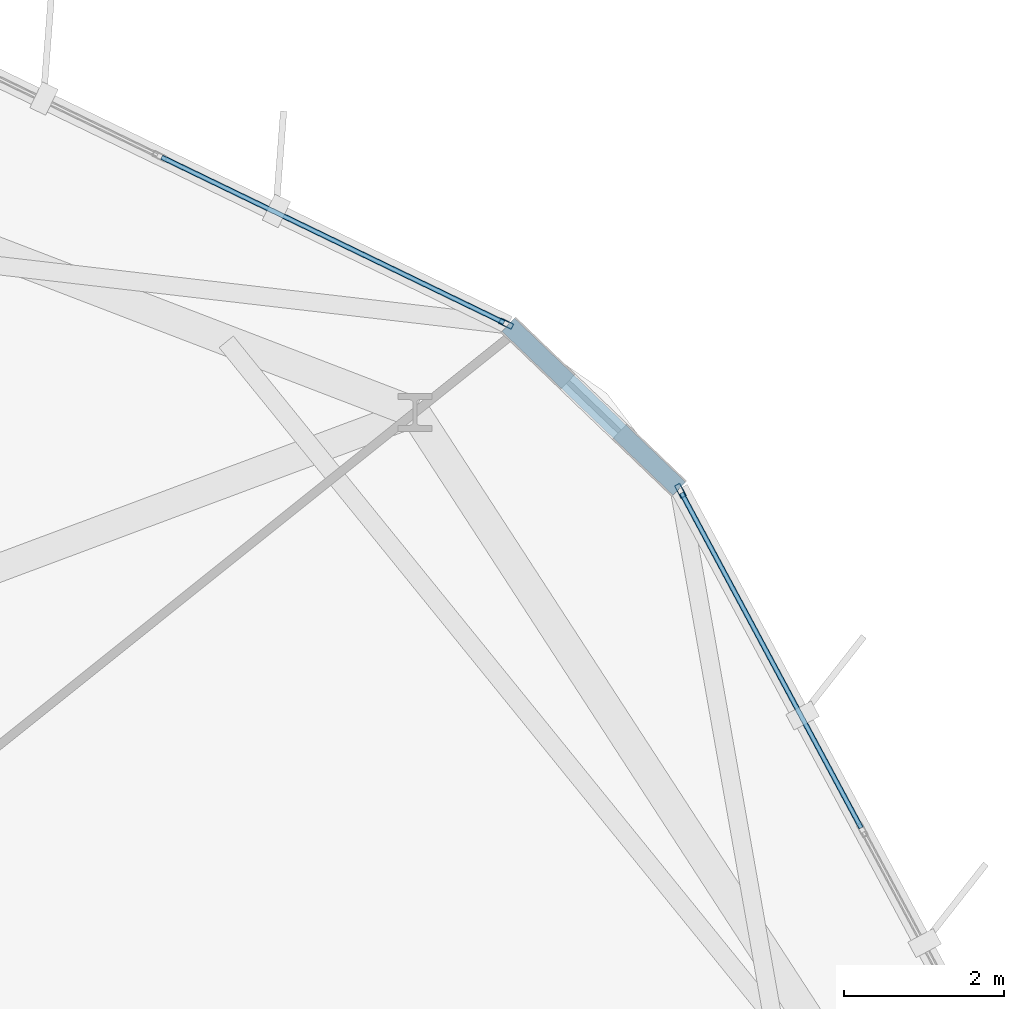
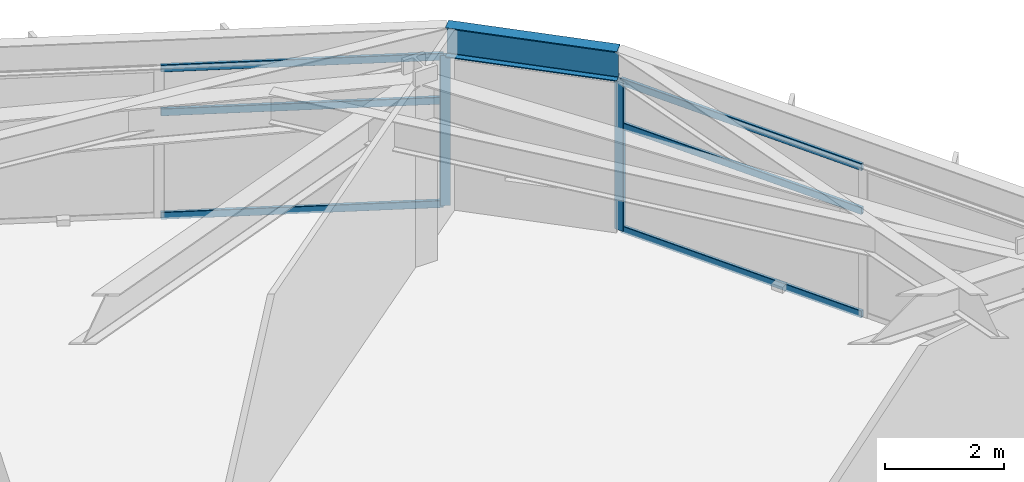
# One storey, part 15 of 22: 8 members, 1 beam, 2 elements without a shape of their own.
"""IFC4 building model written with IfcOpenShell, lengths in metres."""

from ifc_helpers import new_model, si_unit, direction, frame, origin, origin_2d, place, context, subcontext, project, spatial, hollow_rectangle, i_section, extrude, material, layer, layer_set, material_profile, profile_set, type_object, element, aggregate, save


model = new_model("IFC4")

# Units and contexts
model_context = context("Model", 3, precision=1e-05, world=origin(), true_north=direction((0.0, 1.0)))
body_context = subcontext(model_context, "Body", "Model", "MODEL_VIEW")
ifc_project = project(units=[si_unit("LENGTHUNIT", "METRE"), si_unit("AREAUNIT", "SQUARE_METRE"), si_unit("VOLUMEUNIT", "CUBIC_METRE"), si_unit("PLANEANGLEUNIT", "RADIAN"), si_unit("MASSUNIT", "GRAM", prefix="KILO")], contexts=[model_context])

# Site, building, storey
site_placement = place(None, origin())
site = spatial("IfcSite", under=ifc_project, at=site_placement, CompositionType="ELEMENT")
building_placement = place(site_placement, origin())
building = spatial("IfcBuilding", under=site, at=building_placement, Name="Soratama Intermodal Tower", CompositionType="ELEMENT")
storey_placement = place(building_placement, frame((0.0, 0.0, 66.60009765625)))
storey = spatial("IfcBuildingStorey", under=building, at=storey_placement, Name="L15", CompositionType="ELEMENT", Elevation=66.60009765625)

# Beam
ifc_material_1 = material(Name="Structural steel ASTM A992 Grade 50", Category="steel")
ifc_material_profile_1 = material_profile(ifc_material_1, i_section(OverallWidth=0.22900390625, OverallDepth=0.612060546875, WebThickness=0.011962890625, FlangeThickness=0.01953125, FilletRadius=0.012939453125, at=origin_2d()), Name="W24X84")
ifc_profile_set_1 = profile_set([ifc_material_profile_1], Name="Structural steel ASTM A992 Grade 50")
beam_type = type_object("IfcBeamType", Name="BM-SPN-W24X84", PredefinedType="SPANDREL", material=ifc_profile_set_1)
beam_placement = place(storey_placement, frame((60.091064453125, 38.593994140625, 3.393798828125), z_axis=(-0.721806589939, 0.692094824948, 0.0), x_axis=(-0.692094824948, -0.721806589939, 0.0)))
element("IfcBeam", 1, at=beam_placement, inside=storey, type_object=beam_type, Name="BS-L15-CRN01", PredefinedType="SPANDREL", context=body_context, shape_type="SweptSolid", body=[
    extrude(i_section(OverallWidth=0.22900390625, OverallDepth=0.612060546875, WebThickness=0.011962890625, FlangeThickness=0.01953125, FilletRadius=0.012939453125, at=origin_2d()), origin(), (0.0, 0.0, 1.0), 2.96630859375),
])

# Curtain wall, member
ifc_material_2 = material(Name="Double-glazed aluminium curtain wall", Category="aluminium")
ifc_layer = layer(ifc_material_2, 0.159912109375)
ifc_layer_set = layer_set([ifc_layer], Name="Double-glazed aluminium curtain wall")
curtain_wall_type = type_object("IfcCurtainWallType", Name="CW-SYS-2", PredefinedType="NOTDEFINED", material=ifc_layer_set)
curtain_wall_1_placement = place(storey_placement, origin())
curtain_wall_1 = element("IfcCurtainWall", 2, at=curtain_wall_1_placement, inside=storey, type_object=curtain_wall_type, Name="L15 Faceted Curtain Wall F01", PredefinedType="NOTDEFINED")
ifc_material_3 = material(Name="Anodised aluminium AA 6063-T6", Category="aluminium")
ifc_material_profile_2 = material_profile(ifc_material_3, hollow_rectangle(XDim=0.074951171875, YDim=0.179931640625, WallThickness=0.006103515625, InnerFilletRadius=0.006103515625, OuterFilletRadius=0.011962890625, at=origin_2d()), Name="CWM180X75X6")
ifc_profile_set_2 = profile_set([ifc_material_profile_2], Name="Anodised aluminium AA 6063-T6")
member_type_1 = type_object("IfcMemberType", Name="MT-CWM-2", PredefinedType="MULLION", material=ifc_profile_set_2)
member_1_placement = place(storey_placement, frame((60.105224609375, 38.5673828125, 0.0), z_axis=(0.0, 0.0, 1.0), x_axis=(-0.881303777176, -0.47255015854, 0.0)))
member_1 = element("IfcMember", 3, at=member_1_placement, type_object=member_type_1, Name="CW-2 mullion 3", PredefinedType="MULLION", context=body_context, shape_type="SweptSolid", body=[
    extrude(hollow_rectangle(XDim=0.074951171875, YDim=0.179931640625, WallThickness=0.006103515625, InnerFilletRadius=0.006103515625, OuterFilletRadius=0.011962890625, at=origin_2d()), origin(), (0.0, 0.0, 1.0), 3.078857421875),
])

curtain_wall_2_placement = place(storey_placement, origin())
curtain_wall_2 = element("IfcCurtainWall", 4, at=curtain_wall_2_placement, inside=storey, type_object=curtain_wall_type, Name="L15 Faceted Curtain Wall F02", PredefinedType="NOTDEFINED")
member_2_placement = place(storey_placement, frame((57.923095703125, 40.66015625, 0.0), z_axis=(0.0, 0.0, 1.0), x_axis=(-0.435224802543, -0.900321815381, 0.0)))
member_2 = element("IfcMember", 5, at=member_2_placement, type_object=member_type_1, Name="CW-2 mullion 1", PredefinedType="MULLION", context=body_context, shape_type="SweptSolid", body=[
    extrude(hollow_rectangle(XDim=0.074951171875, YDim=0.179931640625, WallThickness=0.006103515625, InnerFilletRadius=0.006103515625, OuterFilletRadius=0.011962890625, at=origin_2d()), origin(), (0.0, 0.0, 1.0), 3.078857421875),
])

# Member
ifc_material_4 = material(Name="Anodised aluminium AA 6063-T6", Category="aluminium")
ifc_material_profile_3 = material_profile(ifc_material_4, hollow_rectangle(XDim=0.06494140625, YDim=0.14990234375, WallThickness=0.0048828125, InnerFilletRadius=0.0048828125, OuterFilletRadius=0.010009765625, at=origin_2d()), Name="CWT150X65X5")
ifc_profile_set_3 = profile_set([ifc_material_profile_3], Name="Anodised aluminium AA 6063-T6")
member_type_2 = type_object("IfcMemberType", Name="TT-CWT-1", PredefinedType="USERDEFINED", material=ifc_profile_set_3)
member_3_placement = place(storey_placement, frame((62.368408203125, 34.346923828125, 0.02978515625), z_axis=(-0.472578696574, 0.881288474646, 0.0), x_axis=(-0.881288474646, -0.472578696574, 0.0)))
member_3 = element("IfcMember", 6, at=member_3_placement, type_object=member_type_2, Name="CW-2 transom 2.1", ObjectType="TRANSOM", PredefinedType="USERDEFINED", context=body_context, shape_type="SweptSolid", body=[
    extrude(hollow_rectangle(XDim=0.06494140625, YDim=0.14990234375, WallThickness=0.0048828125, InnerFilletRadius=0.0048828125, OuterFilletRadius=0.010009765625, at=origin_2d()), origin(), (0.0, 0.0, 1.0), 4.759033203125),
])

member_4_placement = place(storey_placement, frame((62.368408203125, 34.346923828125, 2.14990234375), z_axis=(-0.472578696574, 0.881288474646, 0.0), x_axis=(-0.881288474646, -0.472578696574, 0.0)))
member_4 = element("IfcMember", 7, at=member_4_placement, type_object=member_type_2, Name="CW-2 transom 2.2", ObjectType="TRANSOM", PredefinedType="USERDEFINED", context=body_context, shape_type="SweptSolid", body=[
    extrude(hollow_rectangle(XDim=0.06494140625, YDim=0.14990234375, WallThickness=0.0048828125, InnerFilletRadius=0.0048828125, OuterFilletRadius=0.010009765625, at=origin_2d()), origin(), (0.0, 0.0, 1.0), 4.759033203125),
])

member_5_placement = place(storey_placement, frame((62.368408203125, 34.346923828125, 3.048828125), z_axis=(-0.472578696574, 0.881288474646, 0.0), x_axis=(-0.881288474646, -0.472578696574, 0.0)))
member_5 = element("IfcMember", 8, at=member_5_placement, type_object=member_type_2, Name="CW-2 transom 2.3", ObjectType="TRANSOM", PredefinedType="USERDEFINED", context=body_context, shape_type="SweptSolid", body=[
    extrude(hollow_rectangle(XDim=0.06494140625, YDim=0.14990234375, WallThickness=0.0048828125, InnerFilletRadius=0.0048828125, OuterFilletRadius=0.010009765625, at=origin_2d()), origin(), (0.0, 0.0, 1.0), 4.759033203125),
])

aggregate(curtain_wall_1, [member_1, member_3, member_4, member_5])

member_6_placement = place(storey_placement, frame((57.89599609375, 40.67333984375, 0.02978515625), z_axis=(-0.900318801263, 0.435231037602, 0.0), x_axis=(-0.435231037602, -0.900318801263, 0.0)))
member_6 = element("IfcMember", 9, at=member_6_placement, type_object=member_type_2, Name="CW-2 transom 1.1", ObjectType="TRANSOM", PredefinedType="USERDEFINED", context=body_context, shape_type="SweptSolid", body=[
    extrude(hollow_rectangle(XDim=0.06494140625, YDim=0.14990234375, WallThickness=0.0048828125, InnerFilletRadius=0.0048828125, OuterFilletRadius=0.010009765625, at=origin_2d()), origin(), (0.0, 0.0, 1.0), 4.759033203125),
])

member_7_placement = place(storey_placement, frame((57.89599609375, 40.67333984375, 2.14990234375), z_axis=(-0.900318801263, 0.435231037602, 0.0), x_axis=(-0.435231037602, -0.900318801263, 0.0)))
member_7 = element("IfcMember", 10, at=member_7_placement, type_object=member_type_2, Name="CW-2 transom 1.2", ObjectType="TRANSOM", PredefinedType="USERDEFINED", context=body_context, shape_type="SweptSolid", body=[
    extrude(hollow_rectangle(XDim=0.06494140625, YDim=0.14990234375, WallThickness=0.0048828125, InnerFilletRadius=0.0048828125, OuterFilletRadius=0.010009765625, at=origin_2d()), origin(), (0.0, 0.0, 1.0), 4.759033203125),
])

member_8_placement = place(storey_placement, frame((57.89599609375, 40.67333984375, 3.048828125), z_axis=(-0.900318801263, 0.435231037602, 0.0), x_axis=(-0.435231037602, -0.900318801263, 0.0)))
member_8 = element("IfcMember", 11, at=member_8_placement, type_object=member_type_2, Name="CW-2 transom 1.3", ObjectType="TRANSOM", PredefinedType="USERDEFINED", context=body_context, shape_type="SweptSolid", body=[
    extrude(hollow_rectangle(XDim=0.06494140625, YDim=0.14990234375, WallThickness=0.0048828125, InnerFilletRadius=0.0048828125, OuterFilletRadius=0.010009765625, at=origin_2d()), origin(), (0.0, 0.0, 1.0), 4.759033203125),
])

aggregate(curtain_wall_2, [member_2, member_6, member_7, member_8])

save(model, "model.ifc")
